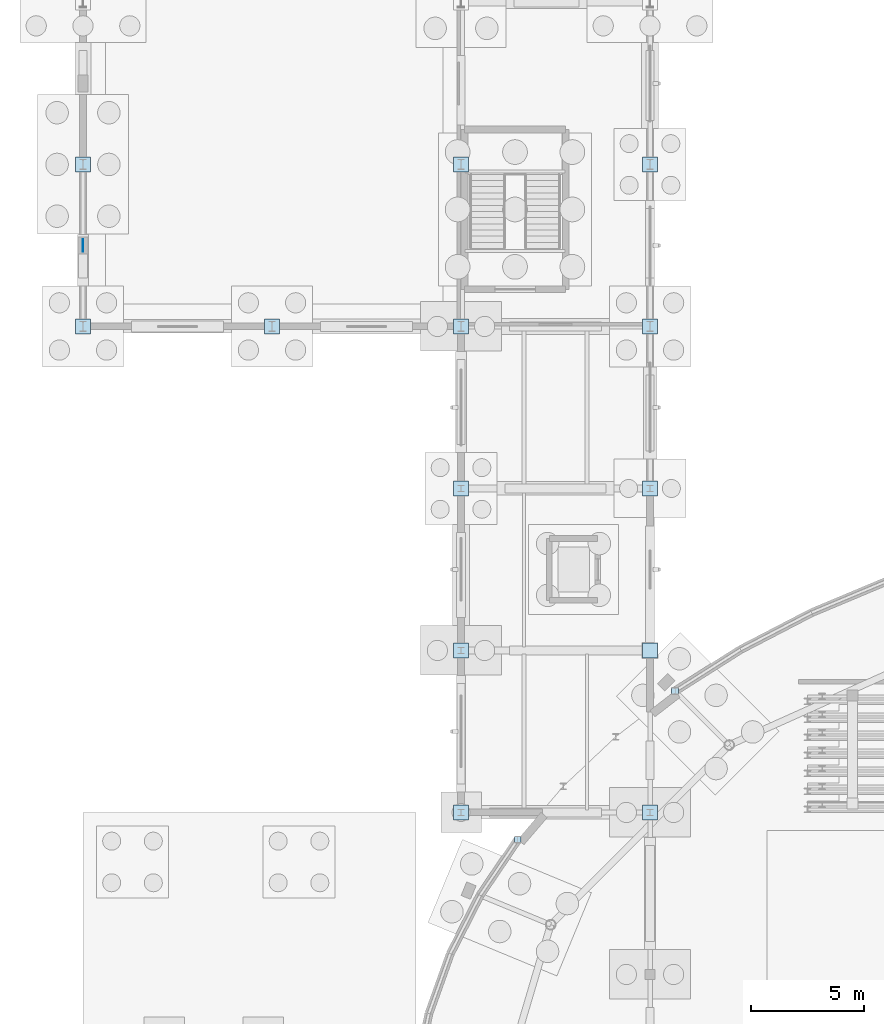
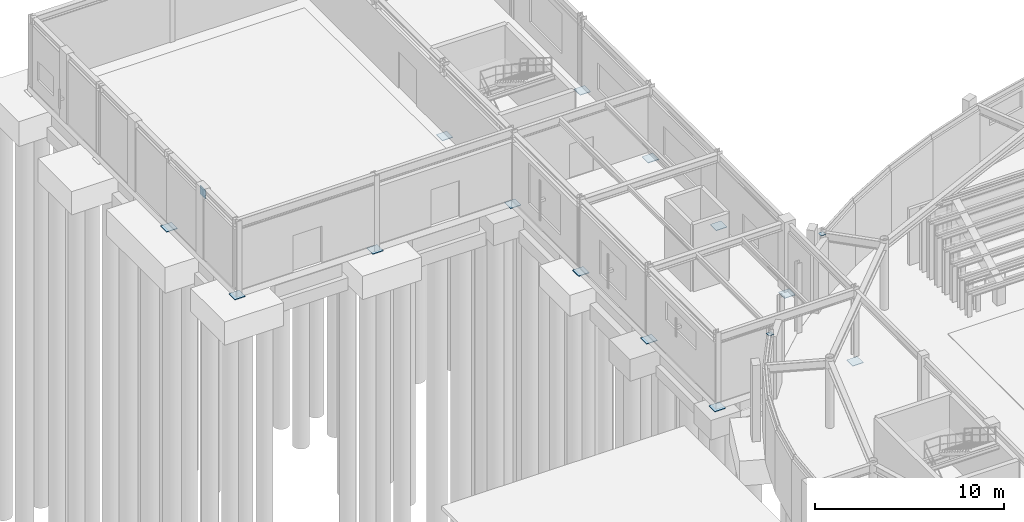
# One storey, part 51 of 93: 16 plates.
"""IFC4 building model written with IfcOpenShell, lengths in metres."""

import ifcopenshell
import ifcopenshell.guid

model = None  # the IFC model being written
_history = None  # IfcOwnerHistory: only IFC2X3 demands one
_inside = {}  # id of a spatial element -> (the spatial element, [elements in it])
_under = {}  # id of a project, library or spatial element -> (it, [spatial elements below it])
_declared = {}  # id of a project -> (the project, [libraries it declares])
_typed = {}  # id of a type object -> (the type object, [elements of that type])
_made_of = {}  # id of a material, layer set ... -> (it, [elements and type objects made of it])


def new_model(schema):
    """Start an empty IFC model of exactly this schema.

    Asked for "IFC4X3", IfcOpenShell would pick the latest addendum, in which some entities
    have other attributes; the version numbers below select the first issue.
    IFC2X3 requires an IfcOwnerHistory on every rooted entity: one is made here for all.
    """
    global model, _history
    if schema == "IFC4X3":
        model = ifcopenshell.file(schema_version=(4, 3, 0, 0))
    else:
        model = ifcopenshell.file(schema=schema)
    _inside.clear()
    _under.clear()
    _declared.clear()
    _typed.clear()
    _made_of.clear()
    _history = None
    if model.schema == "IFC2X3":
        org = make("IfcOrganization", Name="unknown")
        user = make(
            "IfcPersonAndOrganization",
            ThePerson=make("IfcPerson", FamilyName="unknown"),
            TheOrganization=org,
        )
        app = make(
            "IfcApplication",
            ApplicationDeveloper=org,
            Version="unknown",
            ApplicationFullName="unknown",
            ApplicationIdentifier="unknown",
        )
        _history = make(
            "IfcOwnerHistory",
            OwningUser=user,
            OwningApplication=app,
            ChangeAction="ADDED",
            CreationDate=0,
        )
    return model


def make(cls, **values):
    """One entity of the class cls with the attributes given. An attribute that is None is left unset."""
    return model.create_entity(
        cls, **{name: value for name, value in values.items() if value is not None}
    )


def rooted(cls, **values):
    """An entity with a GlobalId (a new one), such as an element, a storey or a relation."""
    return make(cls, GlobalId=ifcopenshell.guid.new(), OwnerHistory=_history, **values)


def si_unit(unit_type, name, prefix=None):
    """IfcSIUnit, for example si_unit("LENGTHUNIT", "METRE", prefix="MILLI")."""
    return make("IfcSIUnit", UnitType=unit_type, Prefix=prefix, Name=name)


def derived_unit(unit_type, elements):
    """IfcDerivedUnit: a product of units, each with its exponent."""
    return make(
        "IfcDerivedUnit",
        Elements=[
            make("IfcDerivedUnitElement", Unit=unit, Exponent=power)
            for unit, power in elements
        ],
        UnitType=unit_type,
    )


def assignment(units):
    """IfcUnitAssignment: the units of a project."""
    return None if units is None else make("IfcUnitAssignment", Units=units)


def point(xyz):
    """IfcCartesianPoint."""
    return None if xyz is None else make("IfcCartesianPoint", Coordinates=xyz)


def direction(xyz):
    """IfcDirection."""
    return None if xyz is None else make("IfcDirection", DirectionRatios=xyz)


def frame(location, z_axis=None, x_axis=None):
    """IfcAxis2Placement3D, a coordinate frame: its origin and axes. An axis left out is left unset."""
    return make(
        "IfcAxis2Placement3D",
        Location=point(location),
        Axis=direction(z_axis),
        RefDirection=direction(x_axis),
    )


def frame_2d(location, x_axis=None):
    """IfcAxis2Placement2D, a coordinate frame in the plane: its origin and x axis."""
    return make(
        "IfcAxis2Placement2D", Location=point(location), RefDirection=direction(x_axis)
    )


def origin():
    """The frame at (0, 0, 0) with its axes left unset."""
    return frame((0.0, 0.0, 0.0))


def origin_2d():
    """The frame at (0, 0) in the plane with its x axis left unset."""
    return frame_2d((0.0, 0.0))


def place(relative_to, where):
    """IfcLocalPlacement: puts the frame where relative to a parent placement (None: the world)."""
    return make(
        "IfcLocalPlacement", PlacementRelTo=relative_to, RelativePlacement=where
    )


def context(
    kind, dimensions, precision=None, world=None, true_north=None, identifier=None
):
    """IfcGeometricRepresentationContext, for example the 3D "Model" context."""
    return make(
        "IfcGeometricRepresentationContext",
        ContextIdentifier=identifier,
        ContextType=kind,
        CoordinateSpaceDimension=dimensions,
        Precision=precision,
        WorldCoordinateSystem=world,
        TrueNorth=true_north,
    )


def subcontext(parent, identifier, kind, view, scale=None):
    """IfcGeometricRepresentationSubContext, for example "Body" below "Model"."""
    return make(
        "IfcGeometricRepresentationSubContext",
        ContextIdentifier=identifier,
        ContextType=kind,
        ParentContext=parent,
        TargetScale=scale,
        TargetView=view,
    )


def project(units=None, contexts=None):
    """IfcProject with its units and contexts."""
    return rooted(
        "IfcProject",
        Name="project",
        RepresentationContexts=contexts,
        UnitsInContext=assignment(units),
    )


def spatial(cls, under=None, at=None, **own):
    """A site, building, storey or space (cls), placed at a placement, below another one or the project."""
    s = rooted(cls, ObjectPlacement=at, **own)
    if under is not None:
        _under.setdefault(under.id(), (under, []))[1].append(s)
    return s


def profile(cls, at=None, kind="AREA", **sizes):
    """A parametric profile (cls). Its sizes go by their IFC names, for example OverallWidth=200.0."""
    return make(cls, ProfileType=kind, Position=at, **sizes)


def rectangle(**sizes):
    """IfcRectangleProfileDef."""
    return profile("IfcRectangleProfileDef", **sizes)


def extrude(swept, where, along, depth):
    """IfcExtrudedAreaSolid: the profile swept, set in the frame where, extruded along a direction by depth."""
    return make(
        "IfcExtrudedAreaSolid",
        SweptArea=swept,
        Position=where,
        ExtrudedDirection=direction(along),
        Depth=depth,
    )


def shape(context_of_items, identifier, shape_type, items):
    """IfcShapeRepresentation: the items that make up one representation, for example the "Body"."""
    return make(
        "IfcShapeRepresentation",
        ContextOfItems=context_of_items,
        RepresentationIdentifier=identifier,
        RepresentationType=shape_type,
        Items=items,
    )


def material(Name=None, Category=None):
    """IfcMaterial."""
    return make("IfcMaterial", Name=Name, Category=Category)


def layer(
    of_material, thickness, ventilated=None, Name=None, Category=None, Priority=None
):
    """IfcMaterialLayer: one layer of a wall or slab, of a material (None: an air gap)."""
    return make(
        "IfcMaterialLayer",
        Material=of_material,
        LayerThickness=thickness,
        IsVentilated=ventilated,
        Name=Name,
        Category=Category,
        Priority=Priority,
    )


def layer_set(layers, Name=None):
    """IfcMaterialLayerSet."""
    return make("IfcMaterialLayerSet", MaterialLayers=layers, LayerSetName=Name)


def made_of(thing, what):
    """Note that an element or type object is made of a material, layer set ...; save() writes the relation."""
    if what is not None:
        _made_of.setdefault(what.id(), (what, []))[1].append(thing)
    return thing


def type_object(cls, material=None, **own):
    """A type object (cls), such as IfcWallType, which elements share."""
    return made_of(rooted(cls, **own), material)


def element(
    cls,
    number,
    at=None,
    inside=None,
    cuts=None,
    type_object=None,
    material=None,
    context=None,
    identifier="Body",
    shape_type=None,
    held_by="IfcProductDefinitionShape",
    body=None,
    shapes=None,
    **own,
):
    """One element of the class cls, such as IfcWall. Its Tag is "e" and its number.

    at: its placement. inside: the storey or other place that contains it. cuts: it is an
    opening in that element (IfcRelVoidsElement). A single representation is given by context,
    identifier, shape_type and body (its items); several are given by shapes. held_by: the class
    of the entity that holds the representations. save() writes the other relations.
    """
    e = rooted(cls, Tag="e%d" % number, ObjectPlacement=at, **own)
    if body is not None:
        shapes = [shape(context, identifier, shape_type, body)]
    if shapes is not None:
        e.Representation = make(held_by, Representations=shapes)
    if inside is not None:
        _inside.setdefault(inside.id(), (inside, []))[1].append(e)
    if cuts is not None:
        rooted(
            "IfcRelVoidsElement", RelatingBuildingElement=cuts, RelatedOpeningElement=e
        )
    if type_object is not None:
        _typed.setdefault(type_object.id(), (type_object, []))[1].append(e)
    return made_of(e, material)


def aggregate(whole, parts):
    """IfcRelAggregates: a whole, such as a stair, and the parts it consists of."""
    return rooted("IfcRelAggregates", RelatingObject=whole, RelatedObjects=parts)


def save(model, path):
    """Write the relations noted so far, then the file.

    IfcRelAggregates (storeys below a building ...), IfcRelContainedInSpatialStructure (elements
    in a storey), IfcRelDefinesByType, IfcRelAssociatesMaterial and IfcRelDeclares: one each for
    every whole, place, type object, material and project.
    """
    for whole, parts in _under.values():
        aggregate(whole, parts)
    for where, things in _inside.values():
        rooted(
            "IfcRelContainedInSpatialStructure",
            RelatedElements=things,
            RelatingStructure=where,
        )
    for kind, things in _typed.values():
        rooted("IfcRelDefinesByType", RelatedObjects=things, RelatingType=kind)
    for what, things in _made_of.values():
        rooted("IfcRelAssociatesMaterial", RelatedObjects=things, RelatingMaterial=what)
    for by, libraries in _declared.values():
        rooted("IfcRelDeclares", RelatingContext=by, RelatedDefinitions=libraries)
    model.write(path)


model = new_model("IFC4")

# Units and contexts
model_context = context("Model", 3, precision=1e-05, world=origin(), true_north=direction((0.0, 1.0)))
body_context = subcontext(model_context, "Body", "Model", "MODEL_VIEW")
ifc_project = project(units=[si_unit("LENGTHUNIT", "METRE"), si_unit("AREAUNIT", "SQUARE_METRE"), si_unit("VOLUMEUNIT", "CUBIC_METRE"), si_unit("PLANEANGLEUNIT", "RADIAN"), si_unit("MASSUNIT", "GRAM", prefix="KILO"), derived_unit("THERMALTRANSMITTANCEUNIT", [(si_unit("MASSUNIT", "GRAM", prefix="KILO"), 1), (si_unit("TIMEUNIT", "SECOND"), -3), (si_unit("THERMODYNAMICTEMPERATUREUNIT", "KELVIN"), -1)])], contexts=[model_context])

# Site, building, storey
site_placement = place(None, origin())
site = spatial("IfcSite", under=ifc_project, at=site_placement, CompositionType="ELEMENT")
building_placement = place(site_placement, origin())
building = spatial("IfcBuilding", under=site, at=building_placement, Name="Kharveza Railside Sports Centre", CompositionType="ELEMENT")
storey_placement = place(building_placement, origin())
storey = spatial("IfcBuildingStorey", under=building, at=storey_placement, Name="L00", CompositionType="ELEMENT", Elevation=0.0)

# Plates
ifc_material = material(Name="Steel S355J2", Category="steel")
ifc_layer_1 = layer(ifc_material, 0.02001953125, Name="Steel S355J2")
ifc_layer_set_1 = layer_set([ifc_layer_1], Name="Steel S355J2")
plate_type_1 = type_object("IfcPlateType", Name="PL-EC04", PredefinedType="USERDEFINED", material=ifc_layer_set_1)
for number, where, z_axis, x_axis, name in (
    (1, (26.315673828125, 70.198974609375, 4.14990234375), (0.0, 0.0, 1.0), (1.0, 0.0, 0.0), "PLT-EC-012"),
    (2, (19.322998046875, 63.59912109375, 4.14990234375), (0.0, 0.0, 1.0), (1.0, 0.0, 0.0), "PLT-EC-015"),
):
    element("IfcPlate", number, at=place(storey_placement, frame(where, z_axis=z_axis, x_axis=x_axis)), inside=storey, type_object=plate_type_1, Name=name, ObjectType="END_CAP_PLATE", PredefinedType="USERDEFINED", context=body_context, shape_type="SweptSolid", body=[
        extrude(rectangle(XDim=0.300048828125, YDim=0.300048828125, at=origin_2d()), origin(), (0.0, 0.0, 1.0), 0.02001953125),
    ])
ifc_layer_2 = layer(ifc_material, 0.028076171875, Name="Steel S355J2")
ifc_layer_set_2 = layer_set([ifc_layer_2], Name="Steel S355J2")
plate_type_2 = type_object("IfcPlateType", Name="PL-GS05", PredefinedType="USERDEFINED", material=ifc_layer_set_2)
plate_placement = place(storey_placement, frame((0.0, 90.0, 3.77001953125), z_axis=(0.0, 0.0, 1.0), x_axis=(1.0, 0.0, 0.0)))
element("IfcPlate", 3, at=plate_placement, inside=storey, type_object=plate_type_2, Name="PLT-GS-CHEVN-023", ObjectType="GUSSET_PLATE", PredefinedType="USERDEFINED", context=body_context, shape_type="SweptSolid", body=[
    extrude(rectangle(XDim=0.028076171875, YDim=0.56005859375, at=origin_2d()), origin(), (0.0, 0.0, 1.0), 0.56005859375),
])
ifc_layer_3 = layer(ifc_material, 0.034912109375, Name="Steel S355J2")
ifc_layer_set_3 = layer_set([ifc_layer_3], Name="Steel S355J2")
plate_type_3 = type_object("IfcPlateType", Name="PL-GS06", PredefinedType="USERDEFINED", material=ifc_layer_set_3)
for number, where, z_axis, x_axis, name in (
    (4, (0.0, 86.39990234375, -0.419921875), (0.0, 0.0, 1.0), (1.0, 0.0, 0.0), "PLT-BP-01"),
    (5, (0.0, 93.60009765625, -0.419921875), (0.0, 0.0, 1.0), (1.0, 0.0, 0.0), "PLT-BP-02"),
    (6, (8.39990234375, 86.39990234375, -0.419921875), (0.0, 0.0, 1.0), (1.0, 0.0, 0.0), "PLT-BP-05"),
    (7, (16.800048828125, 64.800048828125, -0.419921875), (0.0, 0.0, 1.0), (1.0, 0.0, 0.0), "PLT-BP-07"),
    (8, (16.800048828125, 72.0, -0.419921875), (0.0, 0.0, 1.0), (1.0, 0.0, 0.0), "PLT-BP-08"),
    (9, (16.800048828125, 79.199951171875, -0.419921875), (0.0, 0.0, 1.0), (1.0, 0.0, 0.0), "PLT-BP-09"),
    (10, (16.800048828125, 86.39990234375, -0.419921875), (0.0, 0.0, 1.0), (1.0, 0.0, 0.0), "PLT-BP-10"),
    (11, (16.800048828125, 93.60009765625, -0.419921875), (0.0, 0.0, 1.0), (1.0, 0.0, 0.0), "PLT-BP-11"),
    (12, (25.199951171875, 64.800048828125, -0.419921875), (0.0, 0.0, 1.0), (1.0, 0.0, 0.0), "PLT-BP-14"),
    (13, (25.199951171875, 72.0, -0.419921875), (0.0, 0.0, 1.0), (1.0, 0.0, 0.0), "PLT-BP-15"),
    (14, (25.199951171875, 79.199951171875, -0.419921875), (0.0, 0.0, 1.0), (1.0, 0.0, 0.0), "PLT-BP-16"),
    (15, (25.199951171875, 86.39990234375, -0.419921875), (0.0, 0.0, 1.0), (1.0, 0.0, 0.0), "PLT-BP-17"),
    (16, (25.199951171875, 93.60009765625, -0.419921875), (0.0, 0.0, 1.0), (1.0, 0.0, 0.0), "PLT-BP-18"),
):
    element("IfcPlate", number, at=place(storey_placement, frame(where, z_axis=z_axis, x_axis=x_axis)), inside=storey, type_object=plate_type_3, Name=name, ObjectType="GUSSET_PLATE", PredefinedType="USERDEFINED", context=body_context, shape_type="SweptSolid", body=[
        extrude(rectangle(XDim=0.64990234375, YDim=0.64990234375, at=origin_2d()), origin(), (0.0, 0.0, 1.0), 0.034912109375),
    ])

save(model, "model.ifc")
